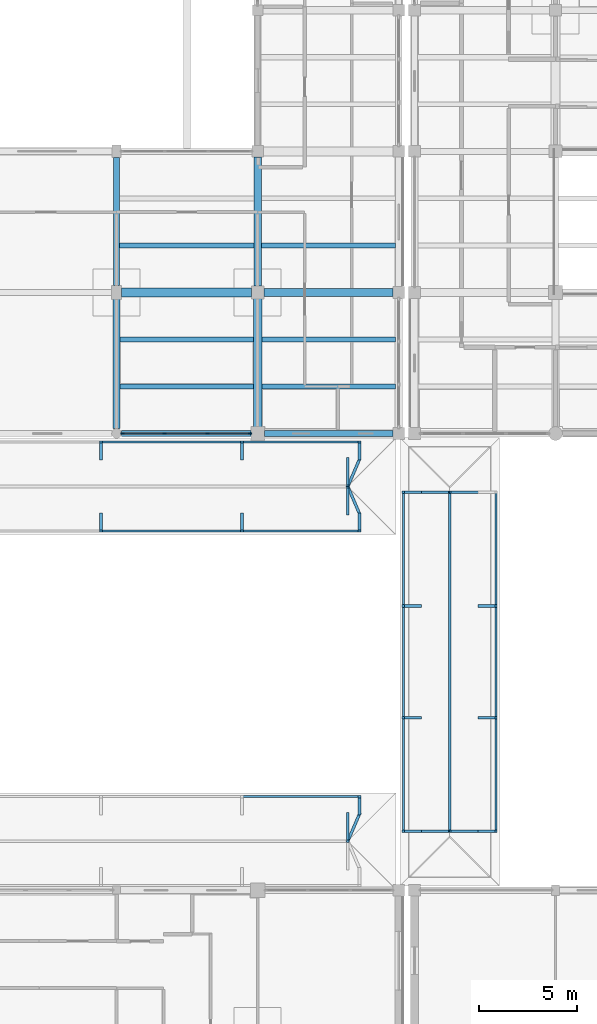
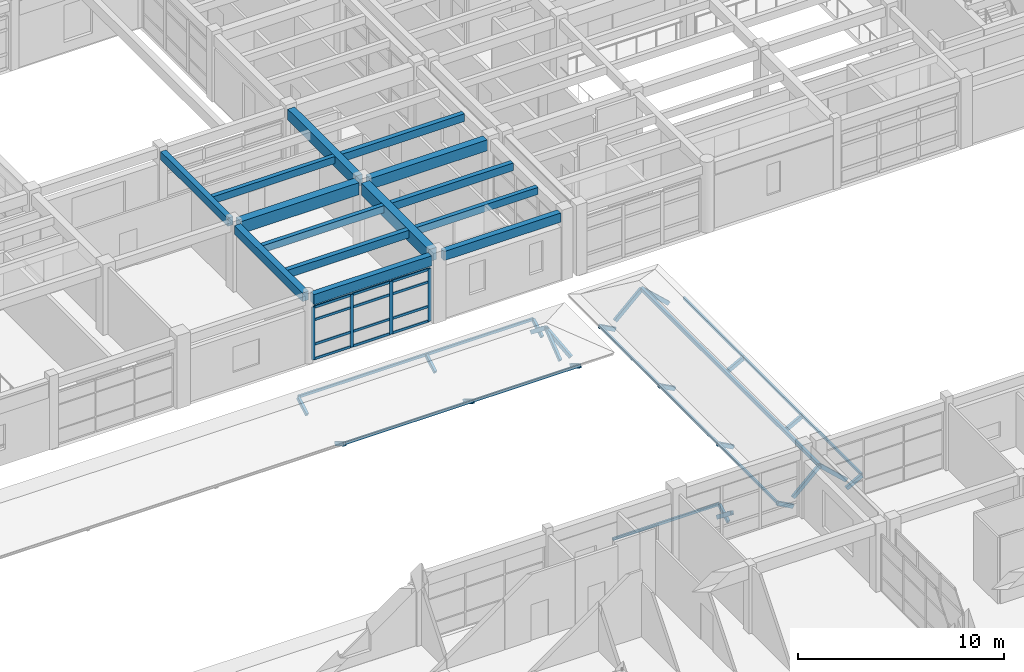
# One storey, part 26 of 110: 52 members, 14 beams, 1 element without a shape of its own.
"""IFC4 building model written with IfcOpenShell, lengths in metres."""

from ifc_helpers import new_model, si_unit, direction, frame, origin, origin_2d, place, context, subcontext, project, spatial, rectangle, hollow_rectangle, extrude, material, material_profile, profile_set, type_object, element, aggregate, save


model = new_model("IFC4")

# Units and contexts
model_context = context("Model", 3, precision=1e-05, world=origin(), true_north=direction((0.0, 1.0)))
body_context = subcontext(model_context, "Body", "Model", "MODEL_VIEW")
ifc_project = project(units=[si_unit("LENGTHUNIT", "METRE"), si_unit("AREAUNIT", "SQUARE_METRE"), si_unit("VOLUMEUNIT", "CUBIC_METRE"), si_unit("PLANEANGLEUNIT", "RADIAN"), si_unit("MASSUNIT", "GRAM", prefix="KILO")], contexts=[model_context])

# Site, building, storey
site_placement = place(None, origin())
site = spatial("IfcSite", under=ifc_project, at=site_placement, CompositionType="ELEMENT")
building_placement = place(site_placement, origin())
building = spatial("IfcBuilding", under=site, at=building_placement, Name="Steenspoor Specialist Clinic", CompositionType="ELEMENT")
storey_placement = place(building_placement, frame((0.0, 0.0, 4.800048828125)))
storey = spatial("IfcBuildingStorey", under=building, at=storey_placement, Name="L01", CompositionType="ELEMENT", Elevation=4.800048828125)

# Beams
ifc_material_1 = material(Name="Concrete C35/45", Category="concrete")
ifc_material_profile_1 = material_profile(ifc_material_1, rectangle(XDim=0.300048828125, YDim=0.47998046875, at=origin_2d()), Name="RC-BM-300X480")
ifc_profile_set_1 = profile_set([ifc_material_profile_1], Name="Concrete C35/45")
beam_type_1 = type_object("IfcBeamType", Name="BM-RC-300X480", PredefinedType="BEAM", material=ifc_profile_set_1)
beam_1_placement = place(storey_placement, frame((102.800048828125, 72.695068359375, 3.7099609375), z_axis=(0.0, 1.0, 0.0), x_axis=(-1.0, 0.0, 0.0)))
element("IfcBeam", 1, at=beam_1_placement, inside=storey, type_object=beam_type_1, Name="BM-V4-L01-Y0558", PredefinedType="BEAM", context=body_context, shape_type="SweptSolid", body=[
    extrude(rectangle(XDim=0.300048828125, YDim=0.47998046875, at=origin_2d()), origin(), (0.0, 0.0, 1.0), 6.534912109375),
])
ifc_material_profile_2 = material_profile(ifc_material_1, rectangle(XDim=0.35009765625, YDim=0.52001953125, at=origin_2d()), Name="RC-BM-350X520")
ifc_profile_set_2 = profile_set([ifc_material_profile_2], Name="Concrete C35/45")
beam_type_2 = type_object("IfcBeamType", Name="BM-RC-350X520", PredefinedType="BEAM", material=ifc_profile_set_2)
beam_2_placement = place(storey_placement, frame((102.800048828125, 65.39501953125, 3.68994140625), z_axis=(0.0, 1.0, 0.0), x_axis=(-1.0, 0.0, 0.0)))
element("IfcBeam", 2, at=beam_2_placement, inside=storey, type_object=beam_type_2, Name="BM-V4-L01-Y0557", PredefinedType="BEAM", context=body_context, shape_type="SweptSolid", body=[
    extrude(rectangle(XDim=0.35009765625, YDim=0.52001953125, at=origin_2d()), origin(), (0.0, 0.0, 1.0), 6.60986328125),
])
ifc_material_profile_3 = material_profile(ifc_material_1, rectangle(XDim=0.39990234375, YDim=0.64990234375, at=origin_2d()), Name="RC-BM-400X650")
ifc_profile_set_3 = profile_set([ifc_material_profile_3], Name="Concrete C35/45")
beam_type_3 = type_object("IfcBeamType", Name="BM-RC-400X650", PredefinedType="BEAM", material=ifc_profile_set_3)
for number, where, z_axis, x_axis, name in (
    (3, (110.320068359375, 72.35009765625, 3.625), (1.0, 0.0, 0.0), (0.0, 1.0, 0.0), "BM-V4-L01-X0485"),
    (4, (110.0, 72.669921875, 3.625), (0.0, 1.0, 0.0), (-1.0, 0.0, 0.0), "BM-V4-L01-Y0562"),
):
    element("IfcBeam", number, at=place(storey_placement, frame(where, z_axis=z_axis, x_axis=x_axis)), inside=storey, type_object=beam_type_3, Name=name, PredefinedType="BEAM", context=body_context, shape_type="SweptSolid", body=[
        extrude(rectangle(XDim=0.39990234375, YDim=0.64990234375, at=origin_2d()), origin(), (0.0, 0.0, 1.0), 6.5849609375),
    ])
ifc_material_profile_4 = material_profile(ifc_material_1, rectangle(XDim=0.449951171875, YDim=0.719970703125, at=origin_2d()), Name="RC-BM-450X720")
ifc_profile_set_4 = profile_set([ifc_material_profile_4], Name="Concrete C35/45")
beam_type_4 = type_object("IfcBeamType", Name="BM-RC-450X720", PredefinedType="BEAM", material=ifc_profile_set_4)
beam_3_placement = place(storey_placement, frame((103.044921875, 72.35009765625, 3.58984375), z_axis=(1.0, 0.0, 0.0), x_axis=(0.0, 1.0, 0.0)))
element("IfcBeam", 5, at=beam_3_placement, inside=storey, type_object=beam_type_4, Name="BM-V4-L01-X0484", PredefinedType="BEAM", context=body_context, shape_type="SweptSolid", body=[
    extrude(rectangle(XDim=0.449951171875, YDim=0.719970703125, at=origin_2d()), origin(), (0.0, 0.0, 1.0), 6.635009765625),
])
beam_4_placement = place(storey_placement, frame((110.0, 65.4951171875, 3.58984375), z_axis=(0.0, 1.0, 0.0), x_axis=(-1.0, 0.0, 0.0)))
element("IfcBeam", 6, at=beam_4_placement, inside=storey, type_object=beam_type_4, Name="BM-V4-L01-Y0561", PredefinedType="BEAM", context=body_context, shape_type="SweptSolid", body=[
    extrude(rectangle(XDim=0.449951171875, YDim=0.719970703125, at=origin_2d()), origin(), (0.0, 0.0, 1.0), 6.534912109375),
])

# Curtain wall, members
ifc_material_2 = material(Name="Thermally broken aluminium and low-emissivity glass", Category="aluminium")
curtain_wall_type = type_object("IfcCurtainWallType", Name="CW-TYP-420X355", PredefinedType="USERDEFINED", material=ifc_material_2)
curtain_wall_placement = place(storey_placement, origin())
curtain_wall = element("IfcCurtainWall", 7, at=curtain_wall_placement, inside=storey, type_object=curtain_wall_type, Name="Unitised Curtain Wall CW-V4-L01-061", ObjectType="UNITISED GLAZING", PredefinedType="USERDEFINED")
ifc_material_3 = material(Name="Thermally broken aluminium 6063-T6", Category="aluminium")
ifc_material_profile_5 = material_profile(ifc_material_3, rectangle(XDim=0.080078125, YDim=0.179931640625, at=origin_2d()), Name="CWM-80X180")
ifc_profile_set_5 = profile_set([ifc_material_profile_5], Name="Thermally broken aluminium 6063-T6")
member_type_1 = type_object("IfcMemberType", Name="CW-MULL-80X180", PredefinedType="MULLION", material=ifc_profile_set_5)
member_1_placement = place(storey_placement, frame((109.610107421875, 65.14990234375, 0.0), z_axis=(0.0, 0.0, 1.0), x_axis=(0.0, -1.0, 0.0)))
member_1 = element("IfcMember", 8, at=member_1_placement, type_object=member_type_1, Name="CW-13 mullion 1", PredefinedType="MULLION", context=body_context, shape_type="SweptSolid", body=[
    extrude(rectangle(XDim=0.080078125, YDim=0.179931640625, at=origin_2d()), origin(), (0.0, 0.0, 1.0), 3.1298828125),
])
member_2_placement = place(storey_placement, frame((107.449951171875, 65.14990234375, 0.0), z_axis=(0.0, 0.0, 1.0), x_axis=(0.0, -1.0, 0.0)))
member_2 = element("IfcMember", 9, at=member_2_placement, type_object=member_type_1, Name="CW-13 mullion 2", PredefinedType="MULLION", context=body_context, shape_type="SweptSolid", body=[
    extrude(rectangle(XDim=0.080078125, YDim=0.179931640625, at=origin_2d()), origin(), (0.0, 0.0, 1.0), 3.1298828125),
])
member_3_placement = place(storey_placement, frame((105.25, 65.14990234375, 0.0), z_axis=(0.0, 0.0, 1.0), x_axis=(0.0, -1.0, 0.0)))
member_3 = element("IfcMember", 10, at=member_3_placement, type_object=member_type_1, Name="CW-13 mullion 3", PredefinedType="MULLION", context=body_context, shape_type="SweptSolid", body=[
    extrude(rectangle(XDim=0.080078125, YDim=0.179931640625, at=origin_2d()), origin(), (0.0, 0.0, 1.0), 3.1298828125),
])
member_4_placement = place(storey_placement, frame((103.090087890625, 65.14990234375, 0.0), z_axis=(0.0, 0.0, 1.0), x_axis=(0.0, -1.0, 0.0)))
member_4 = element("IfcMember", 11, at=member_4_placement, type_object=member_type_1, Name="CW-13 mullion 4", PredefinedType="MULLION", context=body_context, shape_type="SweptSolid", body=[
    extrude(rectangle(XDim=0.080078125, YDim=0.179931640625, at=origin_2d()), origin(), (0.0, 0.0, 1.0), 3.1298828125),
])
ifc_material_profile_6 = material_profile(ifc_material_3, rectangle(XDim=0.070068359375, YDim=0.14501953125, at=origin_2d()), Name="CWT-70X145")
ifc_profile_set_6 = profile_set([ifc_material_profile_6], Name="Thermally broken aluminium 6063-T6")
member_type_2 = type_object("IfcMemberType", Name="CW-TRAN-70X145", PredefinedType="USERDEFINED", material=ifc_profile_set_6)
member_5_placement = place(storey_placement, frame((109.570068359375, 65.14990234375, 0.034912109375), z_axis=(-1.0, 0.0, 0.0), x_axis=(0.0, -1.0, 0.0)))
member_5 = element("IfcMember", 12, at=member_5_placement, type_object=member_type_2, Name="CW-13 transom 1.1", ObjectType="TRANSOM", PredefinedType="USERDEFINED", context=body_context, shape_type="SweptSolid", body=[
    extrude(rectangle(XDim=0.070068359375, YDim=0.14501953125, at=origin_2d()), origin(), (0.0, 0.0, 1.0), 2.080078125),
])
member_6_placement = place(storey_placement, frame((109.570068359375, 65.14990234375, 0.89990234375), z_axis=(-1.0, 0.0, 0.0), x_axis=(0.0, -1.0, 0.0)))
member_6 = element("IfcMember", 13, at=member_6_placement, type_object=member_type_2, Name="CW-13 transom 1.2", ObjectType="TRANSOM", PredefinedType="USERDEFINED", context=body_context, shape_type="SweptSolid", body=[
    extrude(rectangle(XDim=0.070068359375, YDim=0.14501953125, at=origin_2d()), origin(), (0.0, 0.0, 1.0), 2.080078125),
])
member_7_placement = place(storey_placement, frame((109.570068359375, 65.14990234375, 2.349853515625), z_axis=(-1.0, 0.0, 0.0), x_axis=(0.0, -1.0, 0.0)))
member_7 = element("IfcMember", 14, at=member_7_placement, type_object=member_type_2, Name="CW-13 transom 1.3", ObjectType="TRANSOM", PredefinedType="USERDEFINED", context=body_context, shape_type="SweptSolid", body=[
    extrude(rectangle(XDim=0.070068359375, YDim=0.14501953125, at=origin_2d()), origin(), (0.0, 0.0, 1.0), 2.080078125),
])
member_8_placement = place(storey_placement, frame((109.570068359375, 65.14990234375, 3.094970703125), z_axis=(-1.0, 0.0, 0.0), x_axis=(0.0, -1.0, 0.0)))
member_8 = element("IfcMember", 15, at=member_8_placement, type_object=member_type_2, Name="CW-13 transom 1.4", ObjectType="TRANSOM", PredefinedType="USERDEFINED", context=body_context, shape_type="SweptSolid", body=[
    extrude(rectangle(XDim=0.070068359375, YDim=0.14501953125, at=origin_2d()), origin(), (0.0, 0.0, 1.0), 2.080078125),
])
member_9_placement = place(storey_placement, frame((107.409912109375, 65.14990234375, 0.034912109375), z_axis=(-1.0, 0.0, 0.0), x_axis=(0.0, -1.0, 0.0)))
member_9 = element("IfcMember", 16, at=member_9_placement, type_object=member_type_2, Name="CW-13 transom 2.1", ObjectType="TRANSOM", PredefinedType="USERDEFINED", context=body_context, shape_type="SweptSolid", body=[
    extrude(rectangle(XDim=0.070068359375, YDim=0.14501953125, at=origin_2d()), origin(), (0.0, 0.0, 1.0), 2.119873046875),
])
member_10_placement = place(storey_placement, frame((107.409912109375, 65.14990234375, 0.89990234375), z_axis=(-1.0, 0.0, 0.0), x_axis=(0.0, -1.0, 0.0)))
member_10 = element("IfcMember", 17, at=member_10_placement, type_object=member_type_2, Name="CW-13 transom 2.2", ObjectType="TRANSOM", PredefinedType="USERDEFINED", context=body_context, shape_type="SweptSolid", body=[
    extrude(rectangle(XDim=0.070068359375, YDim=0.14501953125, at=origin_2d()), origin(), (0.0, 0.0, 1.0), 2.119873046875),
])
member_11_placement = place(storey_placement, frame((107.409912109375, 65.14990234375, 2.349853515625), z_axis=(-1.0, 0.0, 0.0), x_axis=(0.0, -1.0, 0.0)))
member_11 = element("IfcMember", 18, at=member_11_placement, type_object=member_type_2, Name="CW-13 transom 2.3", ObjectType="TRANSOM", PredefinedType="USERDEFINED", context=body_context, shape_type="SweptSolid", body=[
    extrude(rectangle(XDim=0.070068359375, YDim=0.14501953125, at=origin_2d()), origin(), (0.0, 0.0, 1.0), 2.119873046875),
])
member_12_placement = place(storey_placement, frame((107.409912109375, 65.14990234375, 3.094970703125), z_axis=(-1.0, 0.0, 0.0), x_axis=(0.0, -1.0, 0.0)))
member_12 = element("IfcMember", 19, at=member_12_placement, type_object=member_type_2, Name="CW-13 transom 2.4", ObjectType="TRANSOM", PredefinedType="USERDEFINED", context=body_context, shape_type="SweptSolid", body=[
    extrude(rectangle(XDim=0.070068359375, YDim=0.14501953125, at=origin_2d()), origin(), (0.0, 0.0, 1.0), 2.119873046875),
])
member_13_placement = place(storey_placement, frame((105.2099609375, 65.14990234375, 0.034912109375), z_axis=(-1.0, 0.0, 0.0), x_axis=(0.0, -1.0, 0.0)))
member_13 = element("IfcMember", 20, at=member_13_placement, type_object=member_type_2, Name="CW-13 transom 3.1", ObjectType="TRANSOM", PredefinedType="USERDEFINED", context=body_context, shape_type="SweptSolid", body=[
    extrude(rectangle(XDim=0.070068359375, YDim=0.14501953125, at=origin_2d()), origin(), (0.0, 0.0, 1.0), 2.080078125),
])
member_14_placement = place(storey_placement, frame((105.2099609375, 65.14990234375, 0.89990234375), z_axis=(-1.0, 0.0, 0.0), x_axis=(0.0, -1.0, 0.0)))
member_14 = element("IfcMember", 21, at=member_14_placement, type_object=member_type_2, Name="CW-13 transom 3.2", ObjectType="TRANSOM", PredefinedType="USERDEFINED", context=body_context, shape_type="SweptSolid", body=[
    extrude(rectangle(XDim=0.070068359375, YDim=0.14501953125, at=origin_2d()), origin(), (0.0, 0.0, 1.0), 2.080078125),
])
member_15_placement = place(storey_placement, frame((105.2099609375, 65.14990234375, 2.349853515625), z_axis=(-1.0, 0.0, 0.0), x_axis=(0.0, -1.0, 0.0)))
member_15 = element("IfcMember", 22, at=member_15_placement, type_object=member_type_2, Name="CW-13 transom 3.3", ObjectType="TRANSOM", PredefinedType="USERDEFINED", context=body_context, shape_type="SweptSolid", body=[
    extrude(rectangle(XDim=0.070068359375, YDim=0.14501953125, at=origin_2d()), origin(), (0.0, 0.0, 1.0), 2.080078125),
])
member_16_placement = place(storey_placement, frame((105.2099609375, 65.14990234375, 3.094970703125), z_axis=(-1.0, 0.0, 0.0), x_axis=(0.0, -1.0, 0.0)))
member_16 = element("IfcMember", 23, at=member_16_placement, type_object=member_type_2, Name="CW-13 transom 3.4", ObjectType="TRANSOM", PredefinedType="USERDEFINED", context=body_context, shape_type="SweptSolid", body=[
    extrude(rectangle(XDim=0.070068359375, YDim=0.14501953125, at=origin_2d()), origin(), (0.0, 0.0, 1.0), 2.080078125),
])
aggregate(curtain_wall, [member_1, member_2, member_3, member_4, member_5, member_6, member_7, member_8, member_9, member_10, member_11, member_12, member_13, member_14, member_15, member_16])

# Beams
ifc_material_profile_7 = material_profile(ifc_material_1, rectangle(XDim=0.239990234375, YDim=0.419921875, at=origin_2d()), Name="RC-JT-240X420")
ifc_profile_set_7 = profile_set([ifc_material_profile_7], Name="Concrete C35/45")
beam_type_5 = type_object("IfcBeamType", Name="JT-RC-240X420", PredefinedType="JOIST", material=ifc_profile_set_7)
beam_5_placement = place(storey_placement, frame((102.969970703125, 69.949951171875, 3.739990234375), z_axis=(1.0, 0.0, 0.0), x_axis=(0.0, 1.0, 0.0)))
element("IfcBeam", 24, at=beam_5_placement, inside=storey, type_object=beam_type_5, Name="JT-V4-L01-0624", PredefinedType="JOIST", context=body_context, shape_type="SweptSolid", body=[
    extrude(rectangle(XDim=0.239990234375, YDim=0.419921875, at=origin_2d()), origin(), (0.0, 0.0, 1.0), 6.81005859375),
])
beam_6_placement = place(storey_placement, frame((102.945068359375, 74.75, 3.739990234375), z_axis=(1.0, 0.0, 0.0), x_axis=(0.0, 1.0, 0.0)))
element("IfcBeam", 25, at=beam_6_placement, inside=storey, type_object=beam_type_5, Name="JT-V4-L01-0625", PredefinedType="JOIST", context=body_context, shape_type="SweptSolid", body=[
    extrude(rectangle(XDim=0.239990234375, YDim=0.419921875, at=origin_2d()), origin(), (0.0, 0.0, 1.0), 6.85986328125),
])
beam_7_placement = place(storey_placement, frame((110.219970703125, 67.550048828125, 3.739990234375), z_axis=(1.0, 0.0, 0.0), x_axis=(0.0, 1.0, 0.0)))
element("IfcBeam", 26, at=beam_7_placement, inside=storey, type_object=beam_type_5, Name="JT-V4-L01-0630", PredefinedType="JOIST", context=body_context, shape_type="SweptSolid", body=[
    extrude(rectangle(XDim=0.239990234375, YDim=0.419921875, at=origin_2d()), origin(), (0.0, 0.0, 1.0), 6.804931640625),
])
ifc_material_profile_8 = material_profile(ifc_material_1, rectangle(XDim=0.260009765625, YDim=0.4599609375, at=origin_2d()), Name="RC-JT-260X460")
ifc_profile_set_8 = profile_set([ifc_material_profile_8], Name="Concrete C35/45")
beam_type_6 = type_object("IfcBeamType", Name="JT-RC-260X460", PredefinedType="JOIST", material=ifc_profile_set_8)
beam_8_placement = place(storey_placement, frame((102.969970703125, 67.550048828125, 3.719970703125), z_axis=(1.0, 0.0, 0.0), x_axis=(0.0, 1.0, 0.0)))
element("IfcBeam", 27, at=beam_8_placement, inside=storey, type_object=beam_type_6, Name="JT-V4-L01-0623", PredefinedType="JOIST", context=body_context, shape_type="SweptSolid", body=[
    extrude(rectangle(XDim=0.260009765625, YDim=0.4599609375, at=origin_2d()), origin(), (0.0, 0.0, 1.0), 6.81005859375),
])
beam_9_placement = place(storey_placement, frame((110.219970703125, 69.949951171875, 3.719970703125), z_axis=(1.0, 0.0, 0.0), x_axis=(0.0, 1.0, 0.0)))
element("IfcBeam", 28, at=beam_9_placement, inside=storey, type_object=beam_type_6, Name="JT-V4-L01-0631", PredefinedType="JOIST", context=body_context, shape_type="SweptSolid", body=[
    extrude(rectangle(XDim=0.260009765625, YDim=0.4599609375, at=origin_2d()), origin(), (0.0, 0.0, 1.0), 6.804931640625),
])
beam_10_placement = place(storey_placement, frame((110.195068359375, 74.75, 3.719970703125), z_axis=(1.0, 0.0, 0.0), x_axis=(0.0, 1.0, 0.0)))
element("IfcBeam", 29, at=beam_10_placement, inside=storey, type_object=beam_type_6, Name="JT-V4-L01-0632", PredefinedType="JOIST", context=body_context, shape_type="SweptSolid", body=[
    extrude(rectangle(XDim=0.260009765625, YDim=0.4599609375, at=origin_2d()), origin(), (0.0, 0.0, 1.0), 6.849853515625),
])

# Members
ifc_material_4 = material(Name="Steel A500 Grade C", Category="steel")
ifc_material_profile_9 = material_profile(ifc_material_4, hollow_rectangle(XDim=0.1015625, YDim=0.15234375, WallThickness=0.005859375, at=origin_2d()), Name="HSS152X102X6.4")
ifc_profile_set_9 = profile_set([ifc_material_profile_9], Name="Steel A500 Grade C")
member_type_3 = type_object("IfcMemberType", Name="MEM-PURLIN-H152", PredefinedType="PURLIN", material=ifc_profile_set_9)
member_17_placement = place(storey_placement, frame((117.429931640625, 44.85009765625, -1.199951171875), z_axis=(0.0, 1.0, 0.0), x_axis=(-1.0, 0.0, 0.0)))
element("IfcMember", 30, at=member_17_placement, inside=storey, type_object=member_type_3, Name="Walkway Fascia WK2 573", PredefinedType="PURLIN", context=body_context, shape_type="SweptSolid", body=[
    extrude(hollow_rectangle(XDim=0.1015625, YDim=0.15234375, WallThickness=0.005859375, at=origin_2d()), origin(), (0.0, 0.0, 1.0), 5.7998046875),
])
member_18_placement = place(storey_placement, frame((117.429931640625, 50.64990234375, -1.199951171875), z_axis=(0.0, 1.0, 0.0), x_axis=(-1.0, 0.0, 0.0)))
element("IfcMember", 31, at=member_18_placement, inside=storey, type_object=member_type_3, Name="Walkway Fascia WK2 574", PredefinedType="PURLIN", context=body_context, shape_type="SweptSolid", body=[
    extrude(hollow_rectangle(XDim=0.1015625, YDim=0.15234375, WallThickness=0.005859375, at=origin_2d()), origin(), (0.0, 0.0, 1.0), 5.7001953125),
])
for number, where, z_axis, x_axis, name in (
    (32, (117.429931640625, 56.35009765625, -1.199951171875), (0.0, 1.0, 0.0), (-1.0, 0.0, 0.0), "Walkway Fascia WK2 575"),
    (33, (122.169921875, 44.85009765625, -1.199951171875), (0.0, 1.0, 0.0), (-1.0, 0.0, 0.0), "Walkway Fascia WK2 576"),
):
    element("IfcMember", number, at=place(storey_placement, frame(where, z_axis=z_axis, x_axis=x_axis)), inside=storey, type_object=member_type_3, Name=name, PredefinedType="PURLIN", context=body_context, shape_type="SweptSolid", body=[
        extrude(hollow_rectangle(XDim=0.1015625, YDim=0.15234375, WallThickness=0.005859375, at=origin_2d()), origin(), (0.0, 0.0, 1.0), 5.7998046875),
    ])
member_19_placement = place(storey_placement, frame((122.169921875, 50.64990234375, -1.199951171875), z_axis=(0.0, 1.0, 0.0), x_axis=(-1.0, 0.0, 0.0)))
element("IfcMember", 34, at=member_19_placement, inside=storey, type_object=member_type_3, Name="Walkway Fascia WK2 577", PredefinedType="PURLIN", context=body_context, shape_type="SweptSolid", body=[
    extrude(hollow_rectangle(XDim=0.1015625, YDim=0.15234375, WallThickness=0.005859375, at=origin_2d()), origin(), (0.0, 0.0, 1.0), 5.7001953125),
])
member_20_placement = place(storey_placement, frame((122.169921875, 56.35009765625, -1.199951171875), z_axis=(0.0, 1.0, 0.0), x_axis=(-1.0, 0.0, 0.0)))
element("IfcMember", 35, at=member_20_placement, inside=storey, type_object=member_type_3, Name="Walkway Fascia WK2 578", PredefinedType="PURLIN", context=body_context, shape_type="SweptSolid", body=[
    extrude(hollow_rectangle(XDim=0.1015625, YDim=0.15234375, WallThickness=0.005859375, at=origin_2d()), origin(), (0.0, 0.0, 1.0), 5.7998046875),
])
member_21_placement = place(storey_placement, frame((102.0, 60.179931640625, -1.571533203125), z_axis=(1.0, 0.0, 0.0), x_axis=(0.0, 1.0, 0.0)))
element("IfcMember", 36, at=member_21_placement, inside=storey, type_object=member_type_3, Name="Walkway Fascia WK4 589", PredefinedType="PURLIN", context=body_context, shape_type="SweptSolid", body=[
    extrude(hollow_rectangle(XDim=0.1015625, YDim=0.15234375, WallThickness=0.005859375, at=origin_2d()), origin(), (0.0, 0.0, 1.0), 7.199951171875),
])
member_22_placement = place(storey_placement, frame((109.199951171875, 60.179931640625, -1.571533203125), z_axis=(1.0, 0.0, 0.0), x_axis=(0.0, 1.0, 0.0)))
element("IfcMember", 37, at=member_22_placement, inside=storey, type_object=member_type_3, Name="Walkway Fascia WK4 590", PredefinedType="PURLIN", context=body_context, shape_type="SweptSolid", body=[
    extrude(hollow_rectangle(XDim=0.1015625, YDim=0.15234375, WallThickness=0.005859375, at=origin_2d()), origin(), (0.0, 0.0, 1.0), 6.0),
])
member_23_placement = place(storey_placement, frame((102.0, 64.719970703125, -1.571533203125), z_axis=(1.0, 0.0, 0.0), x_axis=(0.0, 1.0, 0.0)))
element("IfcMember", 38, at=member_23_placement, inside=storey, type_object=member_type_3, Name="Walkway Fascia WK4 597", PredefinedType="PURLIN", context=body_context, shape_type="SweptSolid", body=[
    extrude(hollow_rectangle(XDim=0.1015625, YDim=0.15234375, WallThickness=0.005859375, at=origin_2d()), origin(), (0.0, 0.0, 1.0), 7.199951171875),
])
for number, where, z_axis, x_axis, name in (
    (39, (109.199951171875, 64.719970703125, -1.571533203125), (1.0, 0.0, 0.0), (0.0, 1.0, 0.0), "Walkway Fascia WK4 598"),
    (40, (109.199951171875, 46.6201171875, -1.571533203125), (1.0, 0.0, 0.0), (0.0, 1.0, 0.0), "Walkway Fascia WK5 615"),
):
    element("IfcMember", number, at=place(storey_placement, frame(where, z_axis=z_axis, x_axis=x_axis)), inside=storey, type_object=member_type_3, Name=name, PredefinedType="PURLIN", context=body_context, shape_type="SweptSolid", body=[
        extrude(hollow_rectangle(XDim=0.1015625, YDim=0.15234375, WallThickness=0.005859375, at=origin_2d()), origin(), (0.0, 0.0, 1.0), 6.0),
    ])
ifc_material_5 = material(Name="Glulam GL28h", Category="wood")
ifc_material_profile_10 = material_profile(ifc_material_5, rectangle(XDim=0.139892578125, YDim=0.219970703125, at=origin_2d()), Name="GL28H-140X220")
ifc_profile_set_10 = profile_set([ifc_material_profile_10], Name="Glulam GL28h")
member_type_4 = type_object("IfcMemberType", Name="MEM-RAFTER-GL220", PredefinedType="RAFTER", material=ifc_profile_set_10)
member_24_placement = place(storey_placement, frame((118.300048828125, 44.85009765625, -1.715087890625), z_axis=(-0.878206147477, 0.0, 0.478282304224), x_axis=(0.0, -1.0, 0.0)))
element("IfcMember", 41, at=member_24_placement, inside=storey, type_object=member_type_4, Name="Walkway Eave Outrigger WK2 397", PredefinedType="RAFTER", context=body_context, shape_type="SweptSolid", body=[
    extrude(rectangle(XDim=0.139892578125, YDim=0.219970703125, at=origin_2d()), origin(), (0.0, 0.0, 1.0), 0.99072265625),
])
member_25_placement = place(storey_placement, frame((121.300048828125, 44.85009765625, -1.715087890625), z_axis=(0.878149761853, 0.0, 0.478385823115), x_axis=(0.0, 1.0, 0.0)))
element("IfcMember", 42, at=member_25_placement, inside=storey, type_object=member_type_4, Name="Walkway Eave Outrigger WK2 398", PredefinedType="RAFTER", context=body_context, shape_type="SweptSolid", body=[
    extrude(rectangle(XDim=0.139892578125, YDim=0.219970703125, at=origin_2d()), origin(), (0.0, 0.0, 1.0), 0.990478515625),
])
member_26_placement = place(storey_placement, frame((118.300048828125, 50.64990234375, -1.715087890625), z_axis=(-0.878206147477, 0.0, 0.478282304224), x_axis=(0.0, -1.0, 0.0)))
element("IfcMember", 43, at=member_26_placement, inside=storey, type_object=member_type_4, Name="Walkway Eave Outrigger WK2 399", PredefinedType="RAFTER", context=body_context, shape_type="SweptSolid", body=[
    extrude(rectangle(XDim=0.139892578125, YDim=0.219970703125, at=origin_2d()), origin(), (0.0, 0.0, 1.0), 0.99072265625),
])
member_27_placement = place(storey_placement, frame((121.300048828125, 50.64990234375, -1.715087890625), z_axis=(0.878149761853, 0.0, 0.478385823115), x_axis=(0.0, 1.0, 0.0)))
element("IfcMember", 44, at=member_27_placement, inside=storey, type_object=member_type_4, Name="Walkway Eave Outrigger WK2 400", PredefinedType="RAFTER", context=body_context, shape_type="SweptSolid", body=[
    extrude(rectangle(XDim=0.139892578125, YDim=0.219970703125, at=origin_2d()), origin(), (0.0, 0.0, 1.0), 0.990478515625),
])
member_28_placement = place(storey_placement, frame((118.300048828125, 56.35009765625, -1.715087890625), z_axis=(-0.878206147477, 0.0, 0.478282304224), x_axis=(0.0, -1.0, 0.0)))
element("IfcMember", 45, at=member_28_placement, inside=storey, type_object=member_type_4, Name="Walkway Eave Outrigger WK2 401", PredefinedType="RAFTER", context=body_context, shape_type="SweptSolid", body=[
    extrude(rectangle(XDim=0.139892578125, YDim=0.219970703125, at=origin_2d()), origin(), (0.0, 0.0, 1.0), 0.99072265625),
])
member_29_placement = place(storey_placement, frame((121.300048828125, 56.35009765625, -1.715087890625), z_axis=(0.878149761853, 0.0, 0.478385823115), x_axis=(0.0, 1.0, 0.0)))
element("IfcMember", 46, at=member_29_placement, inside=storey, type_object=member_type_4, Name="Walkway Eave Outrigger WK2 402", PredefinedType="RAFTER", context=body_context, shape_type="SweptSolid", body=[
    extrude(rectangle(XDim=0.139892578125, YDim=0.219970703125, at=origin_2d()), origin(), (0.0, 0.0, 1.0), 0.990478515625),
])
member_30_placement = place(storey_placement, frame((118.300048828125, 62.14990234375, -1.715087890625), z_axis=(-0.878206147477, 0.0, 0.478282304224), x_axis=(0.0, -1.0, 0.0)))
element("IfcMember", 47, at=member_30_placement, inside=storey, type_object=member_type_4, Name="Walkway Eave Outrigger WK2 403", PredefinedType="RAFTER", context=body_context, shape_type="SweptSolid", body=[
    extrude(rectangle(XDim=0.139892578125, YDim=0.219970703125, at=origin_2d()), origin(), (0.0, 0.0, 1.0), 0.99072265625),
])
member_31_placement = place(storey_placement, frame((119.800048828125, 44.85009765625, 0.17431640625), z_axis=(0.0, 1.0, 0.0), x_axis=(-1.0, 0.0, 0.0)))
element("IfcMember", 48, at=member_31_placement, inside=storey, type_object=member_type_4, Name="Walkway Ridge Rafter WK2", PredefinedType="RAFTER", context=body_context, shape_type="SweptSolid", body=[
    extrude(rectangle(XDim=0.139892578125, YDim=0.219970703125, at=origin_2d()), origin(), (0.0, 0.0, 1.0), 17.2998046875),
])
for number, where, z_axis, x_axis, name in (
    (49, (118.300048828125, 44.85009765625, -1.215087890625), (0.733634993371, 0.0, 0.679543741419), (0.0, 1.0, 0.0), "Walkway Rafter WK2"),
    (50, (121.300048828125, 44.85009765625, -1.215087890625), (-0.733634993371, 0.0, 0.679543741419), (0.0, -1.0, 0.0), "Walkway Rafter WK2"),
    (51, (118.300048828125, 62.14990234375, -1.215087890625), (0.733634993371, 0.0, 0.679543741419), (0.0, 1.0, 0.0), "Walkway Rafter WK2"),
    (52, (121.300048828125, 62.14990234375, -1.215087890625), (-0.733634993371, 0.0, 0.679543741419), (0.0, -1.0, 0.0), "Walkway Rafter WK2"),
):
    element("IfcMember", number, at=place(storey_placement, frame(where, z_axis=z_axis, x_axis=x_axis)), inside=storey, type_object=member_type_4, Name=name, PredefinedType="RAFTER", context=body_context, shape_type="SweptSolid", body=[
        extrude(rectangle(XDim=0.139892578125, YDim=0.219970703125, at=origin_2d()), origin(), (0.0, 0.0, 1.0), 2.044677734375),
    ])
member_32_placement = place(storey_placement, frame((102.0, 61.050048828125, -2.114990234375), z_axis=(0.0, -0.865991350021, 0.500058978211), x_axis=(1.0, 0.0, 0.0)))
element("IfcMember", 53, at=member_32_placement, inside=storey, type_object=member_type_4, Name="Walkway Eave Outrigger WK4 421", PredefinedType="RAFTER", context=body_context, shape_type="SweptSolid", body=[
    extrude(rectangle(XDim=0.139892578125, YDim=0.219970703125, at=origin_2d()), origin(), (0.0, 0.0, 1.0), 1.0048828125),
])
member_33_placement = place(storey_placement, frame((102.0, 63.85009765625, -2.114990234375), z_axis=(0.0, 0.865930570761, 0.500164219654), x_axis=(-1.0, 0.0, 0.0)))
element("IfcMember", 54, at=member_33_placement, inside=storey, type_object=member_type_4, Name="Walkway Eave Outrigger WK4 422", PredefinedType="RAFTER", context=body_context, shape_type="SweptSolid", body=[
    extrude(rectangle(XDim=0.139892578125, YDim=0.219970703125, at=origin_2d()), origin(), (0.0, 0.0, 1.0), 1.004638671875),
])
member_34_placement = place(storey_placement, frame((109.199951171875, 61.050048828125, -2.114990234375), z_axis=(0.0, -0.865991350021, 0.500058978211), x_axis=(1.0, 0.0, 0.0)))
element("IfcMember", 55, at=member_34_placement, inside=storey, type_object=member_type_4, Name="Walkway Eave Outrigger WK4 423", PredefinedType="RAFTER", context=body_context, shape_type="SweptSolid", body=[
    extrude(rectangle(XDim=0.139892578125, YDim=0.219970703125, at=origin_2d()), origin(), (0.0, 0.0, 1.0), 1.0048828125),
])
member_35_placement = place(storey_placement, frame((109.199951171875, 63.85009765625, -2.114990234375), z_axis=(0.0, 0.865930570761, 0.500164219654), x_axis=(-1.0, 0.0, 0.0)))
element("IfcMember", 56, at=member_35_placement, inside=storey, type_object=member_type_4, Name="Walkway Eave Outrigger WK4 424", PredefinedType="RAFTER", context=body_context, shape_type="SweptSolid", body=[
    extrude(rectangle(XDim=0.139892578125, YDim=0.219970703125, at=origin_2d()), origin(), (0.0, 0.0, 1.0), 1.004638671875),
])
member_36_placement = place(storey_placement, frame((115.199951171875, 61.050048828125, -2.114990234375), z_axis=(0.0, -0.865991350021, 0.500058978211), x_axis=(1.0, 0.0, 0.0)))
element("IfcMember", 57, at=member_36_placement, inside=storey, type_object=member_type_4, Name="Walkway Eave Outrigger WK4 425", PredefinedType="RAFTER", context=body_context, shape_type="SweptSolid", body=[
    extrude(rectangle(XDim=0.139892578125, YDim=0.219970703125, at=origin_2d()), origin(), (0.0, 0.0, 1.0), 1.0048828125),
])
member_37_placement = place(storey_placement, frame((115.199951171875, 63.85009765625, -2.114990234375), z_axis=(0.0, 0.865930570761, 0.500164219654), x_axis=(-1.0, 0.0, 0.0)))
element("IfcMember", 58, at=member_37_placement, inside=storey, type_object=member_type_4, Name="Walkway Eave Outrigger WK4 426", PredefinedType="RAFTER", context=body_context, shape_type="SweptSolid", body=[
    extrude(rectangle(XDim=0.139892578125, YDim=0.219970703125, at=origin_2d()), origin(), (0.0, 0.0, 1.0), 1.004638671875),
])
member_38_placement = place(storey_placement, frame((114.60009765625, 61.050048828125, -1.614990234375), z_axis=(0.0, 0.787736864578, 0.61601187666), x_axis=(-1.0, 0.0, 0.0)))
element("IfcMember", 59, at=member_38_placement, inside=storey, type_object=member_type_4, Name="Walkway Rafter WK4", PredefinedType="RAFTER", context=body_context, shape_type="SweptSolid", body=[
    extrude(rectangle(XDim=0.139892578125, YDim=0.219970703125, at=origin_2d()), origin(), (0.0, 0.0, 1.0), 1.777099609375),
])
member_39_placement = place(storey_placement, frame((114.60009765625, 63.85009765625, -1.614990234375), z_axis=(0.0, -0.787788987788, 0.615945217304), x_axis=(1.0, 0.0, 0.0)))
element("IfcMember", 60, at=member_39_placement, inside=storey, type_object=member_type_4, Name="Walkway Rafter WK4", PredefinedType="RAFTER", context=body_context, shape_type="SweptSolid", body=[
    extrude(rectangle(XDim=0.139892578125, YDim=0.219970703125, at=origin_2d()), origin(), (0.0, 0.0, 1.0), 1.77734375),
])
for number, where, z_axis, x_axis, name in (
    (61, (115.199951171875, 61.050048828125, -1.614990234375), (-0.31981490999, 0.746364954775, 0.583658956611), (-0.919169902586, -0.393861257526, 0.0), "Walkway Hip Rafter WK4"),
    (62, (115.199951171875, 63.85009765625, -1.614990234375), (-0.319783841648, -0.746422601485, 0.583602257203), (0.919194764162, -0.393803232005, 0.0), "Walkway Hip Rafter WK4"),
):
    element("IfcMember", number, at=place(storey_placement, frame(where, z_axis=z_axis, x_axis=x_axis)), inside=storey, type_object=member_type_4, Name=name, PredefinedType="RAFTER", context=body_context, shape_type="SweptSolid", body=[
        extrude(rectangle(XDim=0.139892578125, YDim=0.219970703125, at=origin_2d()), origin(), (0.0, 0.0, 1.0), 1.875732421875),
    ])
member_40_placement = place(storey_placement, frame((115.199951171875, 45.75, -2.114990234375), z_axis=(0.0, 0.865991350021, 0.500058978211), x_axis=(-1.0, 0.0, 0.0)))
element("IfcMember", 63, at=member_40_placement, inside=storey, type_object=member_type_4, Name="Walkway Eave Outrigger WK5 444", PredefinedType="RAFTER", context=body_context, shape_type="SweptSolid", body=[
    extrude(rectangle(XDim=0.139892578125, YDim=0.219970703125, at=origin_2d()), origin(), (0.0, 0.0, 1.0), 1.0048828125),
])
member_41_placement = place(storey_placement, frame((114.60009765625, 45.75, -1.614990234375), z_axis=(0.0, -0.787736864578, 0.61601187666), x_axis=(1.0, 0.0, 0.0)))
element("IfcMember", 64, at=member_41_placement, inside=storey, type_object=member_type_4, Name="Walkway Rafter WK5", PredefinedType="RAFTER", context=body_context, shape_type="SweptSolid", body=[
    extrude(rectangle(XDim=0.139892578125, YDim=0.219970703125, at=origin_2d()), origin(), (0.0, 0.0, 1.0), 1.777099609375),
])
member_42_placement = place(storey_placement, frame((115.199951171875, 45.75, -1.614990234375), z_axis=(-0.31981490999, -0.746364954775, 0.583658956611), x_axis=(0.919169902586, -0.393861257526, 0.0)))
element("IfcMember", 65, at=member_42_placement, inside=storey, type_object=member_type_4, Name="Walkway Hip Rafter WK5", PredefinedType="RAFTER", context=body_context, shape_type="SweptSolid", body=[
    extrude(rectangle(XDim=0.139892578125, YDim=0.219970703125, at=origin_2d()), origin(), (0.0, 0.0, 1.0), 1.875732421875),
])

# Beams
ifc_material_profile_11 = material_profile(ifc_material_1, rectangle(XDim=0.320068359375, YDim=0.5400390625, at=origin_2d()), Name="RC-SP-320X540")
ifc_profile_set_11 = profile_set([ifc_material_profile_11], Name="Concrete C35/45")
beam_type_7 = type_object("IfcBeamType", Name="SP-RC-320X540", PredefinedType="SPANDREL", material=ifc_profile_set_11)
beam_11_placement = place(storey_placement, frame((110.344970703125, 65.14990234375, 3.679931640625), z_axis=(1.0, 0.0, 0.0), x_axis=(0.0, 1.0, 0.0)))
element("IfcBeam", 66, at=beam_11_placement, inside=storey, type_object=beam_type_7, Name="BM-V4-L01-X0478", PredefinedType="SPANDREL", context=body_context, shape_type="SweptSolid", body=[
    extrude(rectangle(XDim=0.320068359375, YDim=0.5400390625, at=origin_2d()), origin(), (0.0, 0.0, 1.0), 6.56005859375),
])
ifc_material_profile_12 = material_profile(ifc_material_1, rectangle(XDim=0.320068359375, YDim=0.60009765625, at=origin_2d()), Name="RC-SP-320X600")
ifc_profile_set_12 = profile_set([ifc_material_profile_12], Name="Concrete C35/45")
beam_type_8 = type_object("IfcBeamType", Name="SP-RC-320X600", PredefinedType="SPANDREL", material=ifc_profile_set_12)
beam_12_placement = place(storey_placement, frame((103.044921875, 65.14990234375, 3.64990234375), z_axis=(1.0, 0.0, 0.0), x_axis=(0.0, 1.0, 0.0)))
element("IfcBeam", 67, at=beam_12_placement, inside=storey, type_object=beam_type_8, Name="BM-V4-L01-X0477", PredefinedType="SPANDREL", context=body_context, shape_type="SweptSolid", body=[
    extrude(rectangle(XDim=0.320068359375, YDim=0.60009765625, at=origin_2d()), origin(), (0.0, 0.0, 1.0), 6.610107421875),
])

save(model, "model.ifc")
